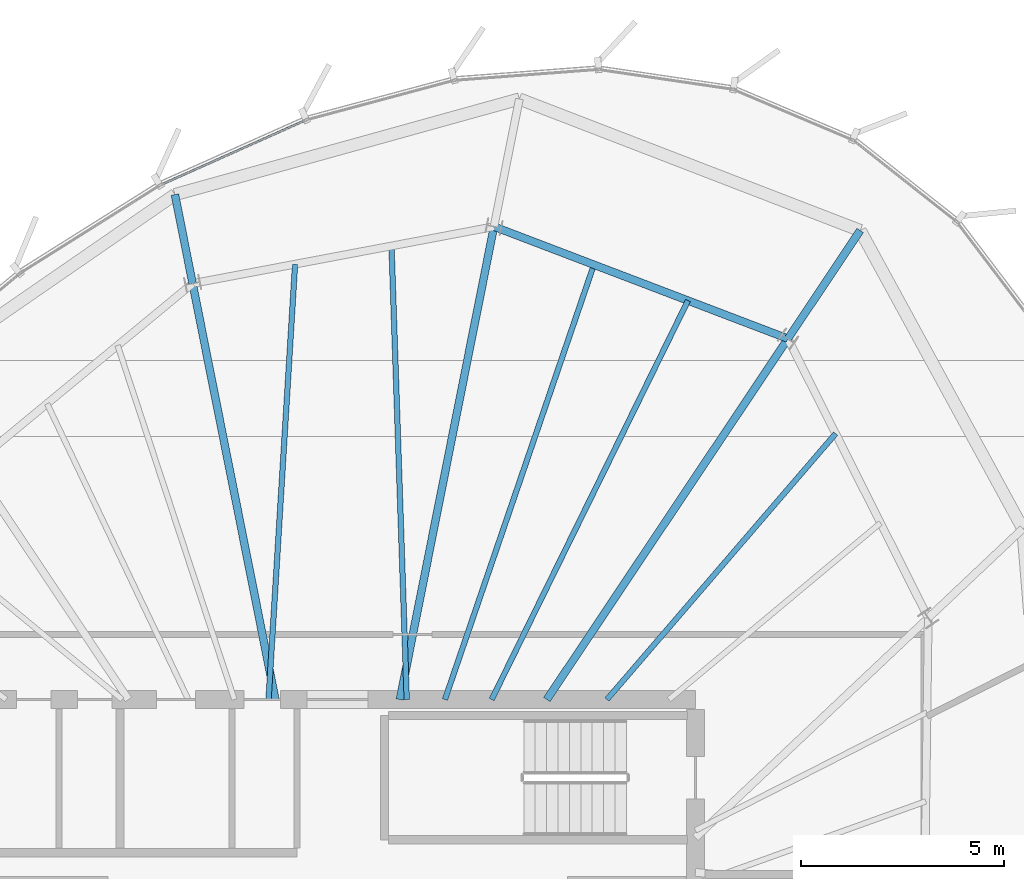
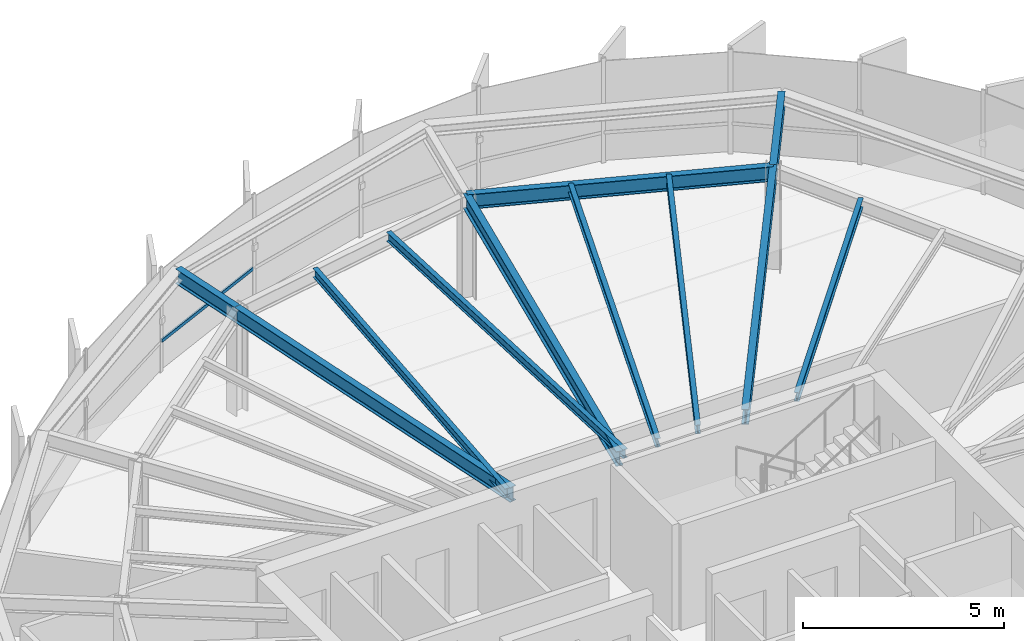
# One storey, part 20 of 32: 11 beams, 1 member, 1 element without a shape of its own.
"""IFC4 building model written with IfcOpenShell, lengths in metres."""

from ifc_helpers import new_model, si_unit, direction, frame, origin, origin_2d, place, context, subcontext, project, spatial, hollow_rectangle, i_section, extrude, source, transform, mapped, material, layer, layer_set, material_profile, profile_set, type_object, element, aggregate, save


model = new_model("IFC4")

# Units and contexts
model_context = context("Model", 3, precision=1e-05, world=origin(), true_north=direction((0.0, 1.0)))
body_context = subcontext(model_context, "Body", "Model", "MODEL_VIEW")
ifc_project = project(units=[si_unit("LENGTHUNIT", "METRE"), si_unit("AREAUNIT", "SQUARE_METRE"), si_unit("VOLUMEUNIT", "CUBIC_METRE"), si_unit("PLANEANGLEUNIT", "RADIAN"), si_unit("MASSUNIT", "GRAM", prefix="KILO"), si_unit("THERMODYNAMICTEMPERATUREUNIT", "KELVIN")], contexts=[model_context])

# Site, building, storey
site_placement = place(None, origin())
site = spatial("IfcSite", under=ifc_project, at=site_placement, CompositionType="ELEMENT")
building_placement = place(site_placement, origin())
building = spatial("IfcBuilding", under=site, at=building_placement, Name="Kethvar Cultural Tower", CompositionType="ELEMENT")
storey_placement = place(building_placement, frame((0.0, 0.0, 273.25)))
storey = spatial("IfcBuildingStorey", under=building, at=storey_placement, Name="L72", CompositionType="ELEMENT", Elevation=273.25)

# Beams
ifc_material_1 = material(Name="Steel S355J2", Category="steel")
ifc_material_profile_1 = material_profile(ifc_material_1, i_section(OverallWidth=0.18994140625, OverallDepth=0.449951171875, WebThickness=0.009521484375, FlangeThickness=0.0146484375, FilletRadius=0.02099609375, at=origin_2d()), Name="Steel S355J2 — IPE450")
ifc_profile_set_1 = profile_set([ifc_material_profile_1], Name="Steel S355J2 — IPE450")
beam_type_1 = type_object("IfcBeamType", Name="BM-IPE450", PredefinedType="BEAM", material=ifc_profile_set_1)
shared_shape_1 = source(origin(), body_context, "Body", "SweptSolid", [
    extrude(i_section(OverallWidth=0.18994140625, OverallDepth=0.449951171875, WebThickness=0.009521484375, FlangeThickness=0.0146484375, FilletRadius=0.02099609375, at=origin_2d()), origin(), (0.0, 0.0, 1.0), 10.673828125),
])
beam_1_placement = place(storey_placement, frame((51.945068359375, 35.5, 2.98291015625), z_axis=(0.555576086183, 0.831465701314, 0.0), x_axis=(-0.831465701314, 0.555576086183, 0.0)))
element("IfcBeam", 1, at=beam_1_placement, inside=storey, type_object=beam_type_1, Name="L72 Primary Radial Beam RB-03", PredefinedType="BEAM", context=body_context, shape_type="MappedRepresentation", body=[
    mapped(shared_shape_1, transform((0.0, 0.0, 0.0), scale=1.0)),
])
shared_shape_2 = source(origin(), body_context, "Body", "SweptSolid", [
    extrude(i_section(OverallWidth=0.18994140625, OverallDepth=0.449951171875, WebThickness=0.009521484375, FlangeThickness=0.0146484375, FilletRadius=0.02099609375, at=origin_2d()), origin(), (0.0, 0.0, 1.0), 3.2001953125),
])
beam_2_placement = place(storey_placement, frame((57.875244140625, 44.375, 2.98291015625), z_axis=(0.555544970406, 0.831486491686, 0.0), x_axis=(-0.831486491686, 0.555544970406, 0.0)))
element("IfcBeam", 2, at=beam_2_placement, inside=storey, type_object=beam_type_1, Name="L72 Perimeter Cantilever Beam RC-03", PredefinedType="BEAM", context=body_context, shape_type="MappedRepresentation", body=[
    mapped(shared_shape_2, transform((0.0, 0.0, 0.0), scale=1.0)),
])
shared_shape_3 = source(origin(), body_context, "Body", "SweptSolid", [
    extrude(i_section(OverallWidth=0.18994140625, OverallDepth=0.449951171875, WebThickness=0.009521484375, FlangeThickness=0.0146484375, FilletRadius=0.02099609375, at=origin_2d()), origin(), (0.0, 0.0, 1.0), 11.859375),
])
beam_3_placement = place(storey_placement, frame((48.33154296875, 35.5, 2.98291015625), z_axis=(0.195094640585, 0.980784421377, 0.0), x_axis=(-0.980784421377, 0.195094640585, 0.0)))
element("IfcBeam", 3, at=beam_3_placement, inside=storey, type_object=beam_type_1, Name="L72 Primary Radial Beam RB-04", PredefinedType="BEAM", context=body_context, shape_type="MappedRepresentation", body=[
    mapped(shared_shape_3, transform((0.0, 0.0, 0.0), scale=1.0)),
])
shared_shape_4 = source(origin(), body_context, "Body", "SweptSolid", [
    extrude(i_section(OverallWidth=0.18994140625, OverallDepth=0.449951171875, WebThickness=0.009521484375, FlangeThickness=0.0146484375, FilletRadius=0.02099609375, at=origin_2d()), origin(), (0.0, 0.0, 1.0), 10.432861328125),
])
beam_4_placement = place(storey_placement, frame((45.268310546875, 35.5, 2.98291015625), z_axis=(-0.195094483249, 0.980784452673, 0.0), x_axis=(-0.980784452673, -0.195094483249, 0.0)))
element("IfcBeam", 4, at=beam_4_placement, inside=storey, type_object=beam_type_1, Name="L72 Primary Radial Beam RB-05", PredefinedType="BEAM", context=body_context, shape_type="MappedRepresentation", body=[
    mapped(shared_shape_4, transform((0.0, 0.0, 0.0), scale=1.0)),
])
ifc_material_profile_2 = material_profile(ifc_material_1, i_section(OverallWidth=0.135009765625, OverallDepth=0.27001953125, WebThickness=0.006591796875, FlangeThickness=0.01025390625, FilletRadius=0.014892578125, at=origin_2d()), Name="Steel S355J2 — IPE270")
ifc_profile_set_2 = profile_set([ifc_material_profile_2], Name="Steel S355J2 — IPE270")
beam_type_2 = type_object("IfcBeamType", Name="BM-J270", PredefinedType="JOIST", material=ifc_profile_set_2)
shared_shape_5 = source(origin(), body_context, "Body", "SweptSolid", [
    extrude(i_section(OverallWidth=0.135009765625, OverallDepth=0.27001953125, WebThickness=0.006591796875, FlangeThickness=0.01025390625, FilletRadius=0.014892578125, at=origin_2d()), origin(), (0.0, 0.0, 1.0), 8.6259765625),
])
beam_5_placement = place(storey_placement, frame((53.42333984375, 35.5, 3.072998046875), z_axis=(0.65210499689, 0.758128665222, 0.0), x_axis=(-0.758128665222, 0.65210499689, 0.0)))
element("IfcBeam", 5, at=beam_5_placement, inside=storey, type_object=beam_type_2, Name="L72 Composite Floor Joist J-02B", PredefinedType="JOIST", context=body_context, shape_type="MappedRepresentation", body=[
    mapped(shared_shape_5, transform((0.0, 0.0, 0.0), scale=1.0)),
])
shared_shape_6 = source(origin(), body_context, "Body", "SweptSolid", [
    extrude(i_section(OverallWidth=0.18994140625, OverallDepth=0.449951171875, WebThickness=0.009521484375, FlangeThickness=0.0146484375, FilletRadius=0.02099609375, at=origin_2d()), origin(), (0.0, 0.0, 1.0), 7.737548828125),
])
beam_6_placement = place(storey_placement, frame((57.875244140625, 44.375, 2.98291015625), z_axis=(-0.934388230776, 0.356256416347, 0.0), x_axis=(-0.356256416347, -0.934388230776, 0.0)))
element("IfcBeam", 6, at=beam_6_placement, inside=storey, type_object=beam_type_1, Name="L72 Column Ring Tie Beam CR-03", PredefinedType="BEAM", context=body_context, shape_type="MappedRepresentation", body=[
    mapped(shared_shape_6, transform((0.0, 0.0, 0.0), scale=1.0)),
])
shared_shape_7 = source(origin(), body_context, "Body", "SweptSolid", [
    extrude(i_section(OverallWidth=0.135009765625, OverallDepth=0.27001953125, WebThickness=0.006591796875, FlangeThickness=0.01025390625, FilletRadius=0.014892578125, at=origin_2d()), origin(), (0.0, 0.0, 1.0), 10.935791015625),
])
beam_7_placement = place(storey_placement, frame((50.5888671875, 35.5, 3.072998046875), z_axis=(0.441498236677, 0.897262117227, 0.0), x_axis=(-0.897262117227, 0.441498236677, 0.0)))
element("IfcBeam", 7, at=beam_7_placement, inside=storey, type_object=beam_type_2, Name="L72 Composite Floor Joist J-03A", PredefinedType="JOIST", context=body_context, shape_type="MappedRepresentation", body=[
    mapped(shared_shape_7, transform((0.0, 0.0, 0.0), scale=1.0)),
])
shared_shape_8 = source(origin(), body_context, "Body", "SweptSolid", [
    extrude(i_section(OverallWidth=0.135009765625, OverallDepth=0.27001953125, WebThickness=0.006591796875, FlangeThickness=0.01025390625, FilletRadius=0.014892578125, at=origin_2d()), origin(), (0.0, 0.0, 1.0), 11.304931640625),
])
beam_8_placement = place(storey_placement, frame((49.438720703125, 35.5, 3.072998046875), z_axis=(0.324179110764, 0.945995720997, 0.0), x_axis=(-0.945995720997, 0.324179110764, 0.0)))
element("IfcBeam", 8, at=beam_8_placement, inside=storey, type_object=beam_type_2, Name="L72 Composite Floor Joist J-03B", PredefinedType="JOIST", context=body_context, shape_type="MappedRepresentation", body=[
    mapped(shared_shape_8, transform((0.0, 0.0, 0.0), scale=1.0)),
])
shared_shape_9 = source(origin(), body_context, "Body", "SweptSolid", [
    extrude(i_section(OverallWidth=0.135009765625, OverallDepth=0.27001953125, WebThickness=0.006591796875, FlangeThickness=0.01025390625, FilletRadius=0.014892578125, at=origin_2d()), origin(), (0.0, 0.0, 1.0), 11.162109375),
])
beam_9_placement = place(storey_placement, frame((48.5, 35.5, 3.072998046875), z_axis=(-0.0335959409, 0.999435497046, 0.0), x_axis=(-0.999435497046, -0.0335959409, 0.0)))
element("IfcBeam", 9, at=beam_9_placement, inside=storey, type_object=beam_type_2, Name="L72 Composite Floor Joist J-04A", PredefinedType="JOIST", context=body_context, shape_type="MappedRepresentation", body=[
    mapped(shared_shape_9, transform((0.0, 0.0, 0.0), scale=1.0)),
])
shared_shape_10 = source(origin(), body_context, "Body", "SweptSolid", [
    extrude(i_section(OverallWidth=0.135009765625, OverallDepth=0.27001953125, WebThickness=0.006591796875, FlangeThickness=0.01025390625, FilletRadius=0.014892578125, at=origin_2d()), origin(), (0.0, 0.0, 1.0), 10.727783203125),
])
beam_10_placement = place(storey_placement, frame((45.10009765625, 35.5, 3.072998046875), z_axis=(0.060876395586, 0.998145312297, 0.0), x_axis=(-0.998145312297, 0.060876395586, 0.0)))
element("IfcBeam", 10, at=beam_10_placement, inside=storey, type_object=beam_type_2, Name="L72 Composite Floor Joist J-04B", PredefinedType="JOIST", context=body_context, shape_type="MappedRepresentation", body=[
    mapped(shared_shape_10, transform((0.0, 0.0, 0.0), scale=1.0)),
])
shared_shape_11 = source(origin(), body_context, "Body", "SweptSolid", [
    extrude(i_section(OverallWidth=0.18994140625, OverallDepth=0.449951171875, WebThickness=0.009521484375, FlangeThickness=0.0146484375, FilletRadius=0.02099609375, at=origin_2d()), origin(), (0.0, 0.0, 1.0), 2.229248046875),
])
beam_11_placement = place(storey_placement, frame((43.23291015625, 45.732421875, 2.98291015625), z_axis=(-0.195041951547, 0.980794900648, 0.0), x_axis=(-0.980794900648, -0.195041951547, 0.0)))
element("IfcBeam", 11, at=beam_11_placement, inside=storey, type_object=beam_type_1, Name="L72 Perimeter Cantilever Beam RC-05", PredefinedType="BEAM", context=body_context, shape_type="MappedRepresentation", body=[
    mapped(shared_shape_11, transform((0.0, 0.0, 0.0), scale=1.0)),
])

# Curtain wall, member
ifc_material_2 = material(Name="Aluminium 6063-T6", Category="aluminium")
ifc_layer = layer(ifc_material_2, 0.179931640625, Name="Aluminium 6063-T6", Category="aluminium")
ifc_layer_set = layer_set([ifc_layer], Name="Aluminium 6063-T6 (180 mm)")
curtain_wall_type = type_object("IfcCurtainWallType", Name="CW-SYS-05-Z56", PredefinedType="NOTDEFINED", material=ifc_layer_set)
curtain_wall_placement = place(storey_placement, origin())
curtain_wall = element("IfcCurtainWall", 12, at=curtain_wall_placement, inside=storey, type_object=curtain_wall_type, Name="L72 Curtain Wall Run 01", PredefinedType="NOTDEFINED")
ifc_material_profile_3 = material_profile(ifc_material_2, hollow_rectangle(XDim=0.050048828125, YDim=0.10009765625, WallThickness=0.00390625, at=origin_2d()), Name="Aluminium 6063-T6 — RHS100x50x4")
ifc_profile_set_3 = profile_set([ifc_material_profile_3], Name="Aluminium 6063-T6 — RHS100x50x4")
member_type = type_object("IfcMemberType", Name="CW-SYS-05-Z56-TRN", PredefinedType="USERDEFINED", material=ifc_profile_set_3)
shared_shape_12 = source(origin(), body_context, "Body", "SweptSolid", [
    extrude(hollow_rectangle(XDim=0.050048828125, YDim=0.10009765625, WallThickness=0.00390625, at=origin_2d()), origin(), (0.0, 0.0, 1.0), 3.875),
])
member_placement = place(storey_placement, frame((45.992919921875, 49.741455078125, 0.949951171875), z_axis=(-0.9129782526, -0.4080082233, 0.0), x_axis=(0.4080082233, -0.9129782526, 0.0)))
member = element("IfcMember", 13, at=member_placement, type_object=member_type, Name="CW-L72-R01 Transom 5", ObjectType="TRANSOM", PredefinedType="USERDEFINED", context=body_context, shape_type="MappedRepresentation", body=[
    mapped(shared_shape_12, transform((0.0, 0.0, 0.0), scale=1.0)),
])
aggregate(curtain_wall, [member])

save(model, "model.ifc")
